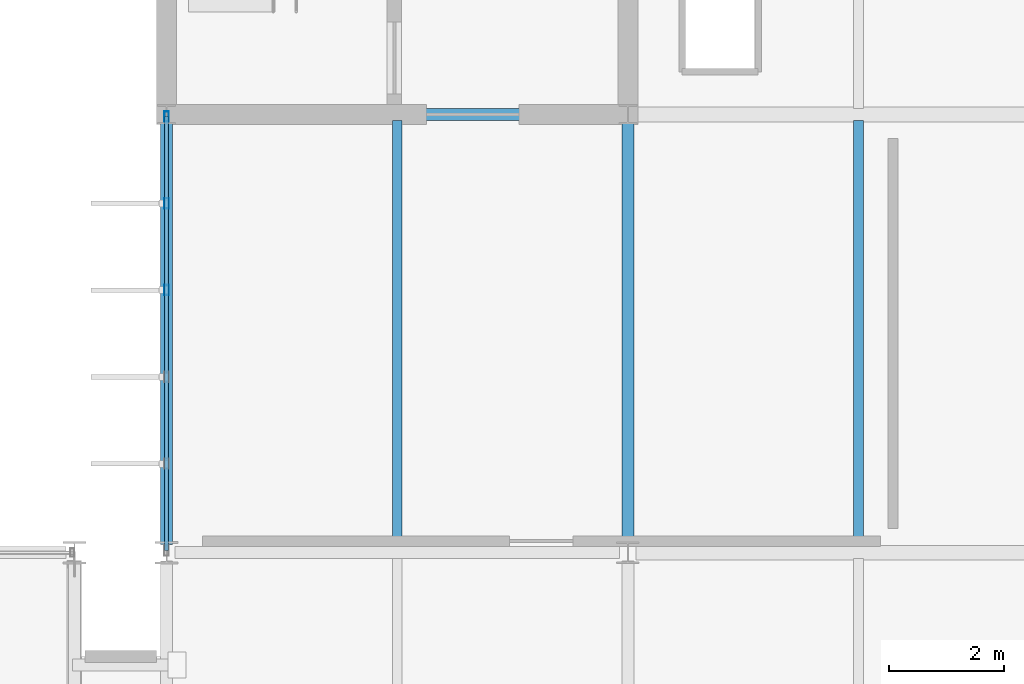
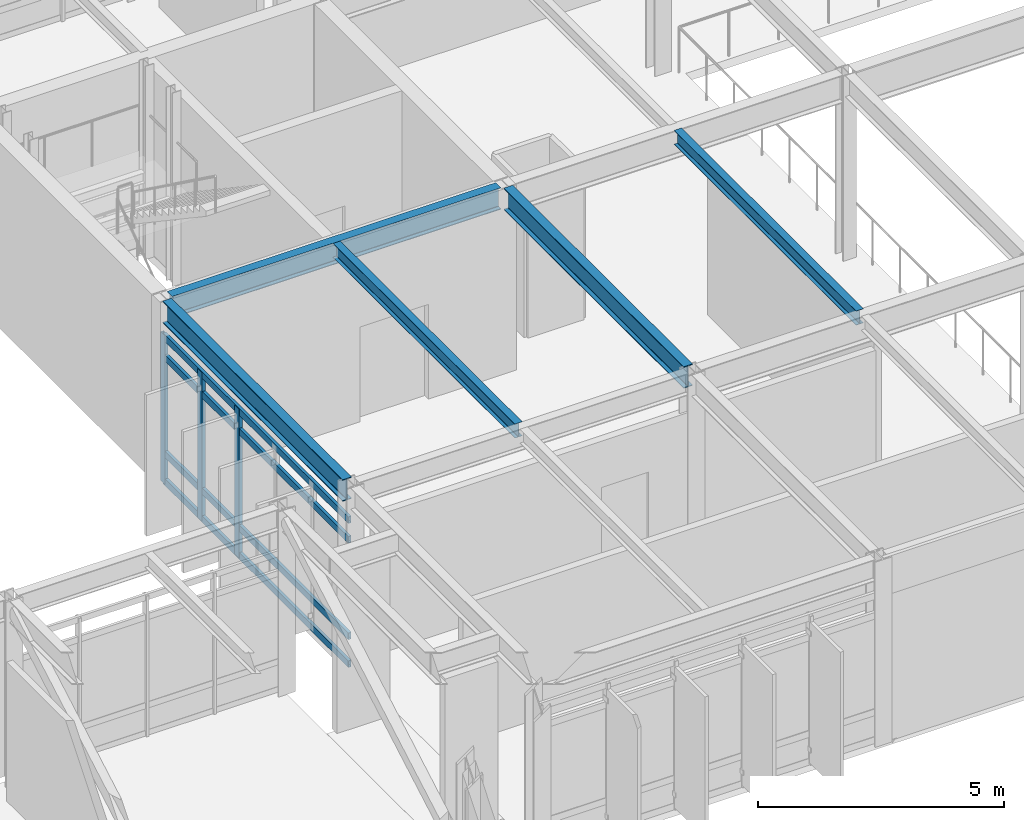
# One storey, part 38 of 104: 7 members, 5 beams, 1 element without a shape of its own.
"""IFC4 building model written with IfcOpenShell, lengths in metres."""

from ifc_helpers import new_model, si_unit, direction, frame, origin, origin_2d, place, context, subcontext, project, spatial, hollow_rectangle, i_section, extrude, material, material_profile, profile_set, type_object, element, aggregate, save


model = new_model("IFC4")

# Units and contexts
model_context = context("Model", 3, precision=1e-05, world=origin(), true_north=direction((0.0, 1.0)))
body_context = subcontext(model_context, "Body", "Model", "MODEL_VIEW")
ifc_project = project(units=[si_unit("LENGTHUNIT", "METRE"), si_unit("AREAUNIT", "SQUARE_METRE"), si_unit("VOLUMEUNIT", "CUBIC_METRE"), si_unit("PLANEANGLEUNIT", "RADIAN"), si_unit("MASSUNIT", "GRAM", prefix="KILO")], contexts=[model_context])

# Site, building, storey
site_placement = place(None, origin())
site = spatial("IfcSite", under=ifc_project, at=site_placement, CompositionType="ELEMENT")
building_placement = place(site_placement, origin())
building = spatial("IfcBuilding", under=site, at=building_placement, Name="Zulena Civic Courthouse", CompositionType="ELEMENT")
storey_placement = place(building_placement, frame((0.0, 0.0, 15.60009765625)))
storey = spatial("IfcBuildingStorey", under=building, at=storey_placement, Name="L03", CompositionType="ELEMENT", Elevation=15.60009765625)

# Curtain wall, members
ifc_material_1 = material(Name="Double-silver low-E laminated solar-control glass", Category="glass")
curtain_wall_type = type_object("IfcCurtainWallType", Name="CW_7528x3690", PredefinedType="USERDEFINED", material=ifc_material_1)
curtain_wall_placement = place(storey_placement, origin())
curtain_wall = element("IfcCurtainWall", 1, at=curtain_wall_placement, inside=storey, type_object=curtain_wall_type, Name="cw:V4:L03:0:1", ObjectType="UNITISED CURTAIN WALL", PredefinedType="USERDEFINED")
ifc_material_2 = material(Name="Bronze anodised thermally broken aluminium AA6063-T6", Category="aluminium")
ifc_material_profile_1 = material_profile(ifc_material_2, hollow_rectangle(XDim=0.074951171875, YDim=0.179931640625, WallThickness=0.0048828125, at=origin_2d()), Name="CWM180X75X5")
ifc_profile_set_1 = profile_set([ifc_material_profile_1], Name="Bronze anodised thermally broken aluminium AA6063-T6")
member_type_1 = type_object("IfcMemberType", Name="CWMullion_180x75", PredefinedType="MULLION", material=ifc_profile_set_1)
member_1_placement = place(storey_placement, frame((68.0, 27.352783203125, 0.0), z_axis=(0.0, 0.0, 1.0), x_axis=(1.0, 0.0, 0.0)))
member_1 = element("IfcMember", 2, at=member_1_placement, type_object=member_type_1, Name="cw:V4:L03:0:1:mull:3", PredefinedType="MULLION", context=body_context, shape_type="SweptSolid", body=[
    extrude(hollow_rectangle(XDim=0.074951171875, YDim=0.179931640625, WallThickness=0.0048828125, at=origin_2d()), origin(), (0.0, 0.0, 1.0), 3.68994140625),
])
member_2_placement = place(storey_placement, frame((68.0, 28.8583984375, 0.0), z_axis=(0.0, 0.0, 1.0), x_axis=(1.0, 0.0, 0.0)))
member_2 = element("IfcMember", 3, at=member_2_placement, type_object=member_type_1, Name="cw:V4:L03:0:1:mull:4", PredefinedType="MULLION", context=body_context, shape_type="SweptSolid", body=[
    extrude(hollow_rectangle(XDim=0.074951171875, YDim=0.179931640625, WallThickness=0.0048828125, at=origin_2d()), origin(), (0.0, 0.0, 1.0), 3.68994140625),
])
member_3_placement = place(storey_placement, frame((68.0, 30.364013671875, 0.0), z_axis=(0.0, 0.0, 1.0), x_axis=(1.0, 0.0, 0.0)))
member_3 = element("IfcMember", 4, at=member_3_placement, type_object=member_type_1, Name="cw:V4:L03:0:1:mull:5", PredefinedType="MULLION", context=body_context, shape_type="SweptSolid", body=[
    extrude(hollow_rectangle(XDim=0.074951171875, YDim=0.179931640625, WallThickness=0.0048828125, at=origin_2d()), origin(), (0.0, 0.0, 1.0), 3.68994140625),
])
ifc_material_profile_2 = material_profile(ifc_material_2, hollow_rectangle(XDim=0.070068359375, YDim=0.1650390625, WallThickness=0.00390625, at=origin_2d()), Name="CWT165X70X4")
ifc_profile_set_2 = profile_set([ifc_material_profile_2], Name="Bronze anodised thermally broken aluminium AA6063-T6")
member_type_2 = type_object("IfcMemberType", Name="CWTransom_165x70", PredefinedType="USERDEFINED", material=ifc_profile_set_2)
member_4_placement = place(storey_placement, frame((68.0, 22.8359375, 0.059814453125), z_axis=(0.0, 1.0, 0.0), x_axis=(-1.0, 0.0, 0.0)))
member_4 = element("IfcMember", 5, at=member_4_placement, type_object=member_type_2, Name="cw:V4:L03:0:1:tran:0", ObjectType="TRANSOM", PredefinedType="USERDEFINED", context=body_context, shape_type="SweptSolid", body=[
    extrude(hollow_rectangle(XDim=0.070068359375, YDim=0.1650390625, WallThickness=0.00390625, at=origin_2d()), origin(), (0.0, 0.0, 1.0), 7.528076171875),
])
member_5_placement = place(storey_placement, frame((68.0, 22.8359375, 0.75), z_axis=(0.0, 1.0, 0.0), x_axis=(-1.0, 0.0, 0.0)))
member_5 = element("IfcMember", 6, at=member_5_placement, type_object=member_type_2, Name="cw:V4:L03:0:1:tran:1", ObjectType="TRANSOM", PredefinedType="USERDEFINED", context=body_context, shape_type="SweptSolid", body=[
    extrude(hollow_rectangle(XDim=0.070068359375, YDim=0.1650390625, WallThickness=0.00390625, at=origin_2d()), origin(), (0.0, 0.0, 1.0), 7.528076171875),
])
member_6_placement = place(storey_placement, frame((68.0, 22.8359375, 3.139892578125), z_axis=(0.0, 1.0, 0.0), x_axis=(-1.0, 0.0, 0.0)))
member_6 = element("IfcMember", 7, at=member_6_placement, type_object=member_type_2, Name="cw:V4:L03:0:1:tran:2", ObjectType="TRANSOM", PredefinedType="USERDEFINED", context=body_context, shape_type="SweptSolid", body=[
    extrude(hollow_rectangle(XDim=0.070068359375, YDim=0.1650390625, WallThickness=0.00390625, at=origin_2d()), origin(), (0.0, 0.0, 1.0), 7.528076171875),
])
member_7_placement = place(storey_placement, frame((68.0, 22.8359375, 3.6298828125), z_axis=(0.0, 1.0, 0.0), x_axis=(-1.0, 0.0, 0.0)))
member_7 = element("IfcMember", 8, at=member_7_placement, type_object=member_type_2, Name="cw:V4:L03:0:1:tran:3", ObjectType="TRANSOM", PredefinedType="USERDEFINED", context=body_context, shape_type="SweptSolid", body=[
    extrude(hollow_rectangle(XDim=0.070068359375, YDim=0.1650390625, WallThickness=0.00390625, at=origin_2d()), origin(), (0.0, 0.0, 1.0), 7.528076171875),
])
aggregate(curtain_wall, [member_1, member_2, member_3, member_4, member_5, member_6, member_7])

# Beams
ifc_material_3 = material(Name="Steel ASTM A992 Grade 50", Category="steel")
ifc_material_profile_3 = material_profile(ifc_material_3, i_section(OverallWidth=0.2099609375, OverallDepth=0.537109375, WebThickness=0.010986328125, FlangeThickness=0.017333984375, FilletRadius=0.0126953125, at=origin_2d()), Name="W21X68")
ifc_profile_set_3 = profile_set([ifc_material_profile_3], Name="Steel ASTM A992 Grade 50")
beam_type_1 = type_object("IfcBeamType", Name="Girder_W21X68", PredefinedType="BEAM", material=ifc_profile_set_3)
beam_1_placement = place(storey_placement, frame((76.0, 22.945068359375, 4.3212890625), z_axis=(0.0, 1.0, 0.0), x_axis=(-1.0, 0.0, 0.0)))
element("IfcBeam", 9, at=beam_1_placement, inside=storey, type_object=beam_type_1, Name="beam:Y:V4:L03:76.0:22.8_30.4", PredefinedType="BEAM", context=body_context, shape_type="SweptSolid", body=[
    extrude(i_section(OverallWidth=0.2099609375, OverallDepth=0.537109375, WebThickness=0.010986328125, FlangeThickness=0.017333984375, FilletRadius=0.0126953125, at=origin_2d()), origin(), (0.0, 0.0, 1.0), 7.309814453125),
])
ifc_material_profile_4 = material_profile(ifc_material_3, i_section(OverallWidth=0.1708984375, OverallDepth=0.35205078125, WebThickness=0.0068359375, FlangeThickness=0.009765625, FilletRadius=0.01025390625, at=origin_2d()), Name="W14X30")
ifc_profile_set_4 = profile_set([ifc_material_profile_4], Name="Steel ASTM A992 Grade 50")
beam_type_2 = type_object("IfcBeamType", Name="Joist_W14X30", PredefinedType="JOIST", material=ifc_profile_set_4)
for number, where, z_axis, x_axis, name in (
    (10, (72.0, 22.905029296875, 4.413818359375), (0.0, 1.0, 0.0), (-1.0, 0.0, 0.0), "joist:V4:L03:72.00:22.8_30.4"),
    (11, (80.0, 22.905029296875, 4.413818359375), (0.0, 1.0, 0.0), (-1.0, 0.0, 0.0), "joist:V4:L03:80.00:22.8_30.4"),
):
    element("IfcBeam", number, at=place(storey_placement, frame(where, z_axis=z_axis, x_axis=x_axis)), inside=storey, type_object=beam_type_2, Name=name, PredefinedType="JOIST", context=body_context, shape_type="SweptSolid", body=[
        extrude(i_section(OverallWidth=0.1708984375, OverallDepth=0.35205078125, WebThickness=0.0068359375, FlangeThickness=0.009765625, FilletRadius=0.01025390625, at=origin_2d()), origin(), (0.0, 0.0, 1.0), 7.389892578125),
    ])
ifc_material_profile_5 = material_profile(ifc_material_3, i_section(OverallWidth=0.2099609375, OverallDepth=0.537109375, WebThickness=0.010986328125, FlangeThickness=0.017333984375, FilletRadius=0.0126953125, at=origin_2d()), Name="W21X68")
ifc_profile_set_5 = profile_set([ifc_material_profile_5], Name="Steel ASTM A992 Grade 50")
beam_type_3 = type_object("IfcBeamType", Name="Spandrel_W21X68", PredefinedType="SPANDREL", material=ifc_profile_set_5)
beam_2_placement = place(storey_placement, frame((68.14501953125, 30.39990234375, 4.3212890625), z_axis=(1.0, 0.0, 0.0), x_axis=(0.0, 1.0, 0.0)))
element("IfcBeam", 12, at=beam_2_placement, inside=storey, type_object=beam_type_3, Name="beam:X:V4:L03:30.4:68.0_76.0", PredefinedType="SPANDREL", context=body_context, shape_type="SweptSolid", body=[
    extrude(i_section(OverallWidth=0.2099609375, OverallDepth=0.537109375, WebThickness=0.010986328125, FlangeThickness=0.017333984375, FilletRadius=0.0126953125, at=origin_2d()), origin(), (0.0, 0.0, 1.0), 7.7099609375),
])
beam_3_placement = place(storey_placement, frame((68.0, 22.945068359375, 4.3212890625), z_axis=(0.0, 1.0, 0.0), x_axis=(-1.0, 0.0, 0.0)))
element("IfcBeam", 13, at=beam_3_placement, inside=storey, type_object=beam_type_3, Name="beam:Y:V4:L03:68.0:22.8_30.4", PredefinedType="SPANDREL", context=body_context, shape_type="SweptSolid", body=[
    extrude(i_section(OverallWidth=0.2099609375, OverallDepth=0.537109375, WebThickness=0.010986328125, FlangeThickness=0.017333984375, FilletRadius=0.0126953125, at=origin_2d()), origin(), (0.0, 0.0, 1.0), 7.309814453125),
])

save(model, "model.ifc")
